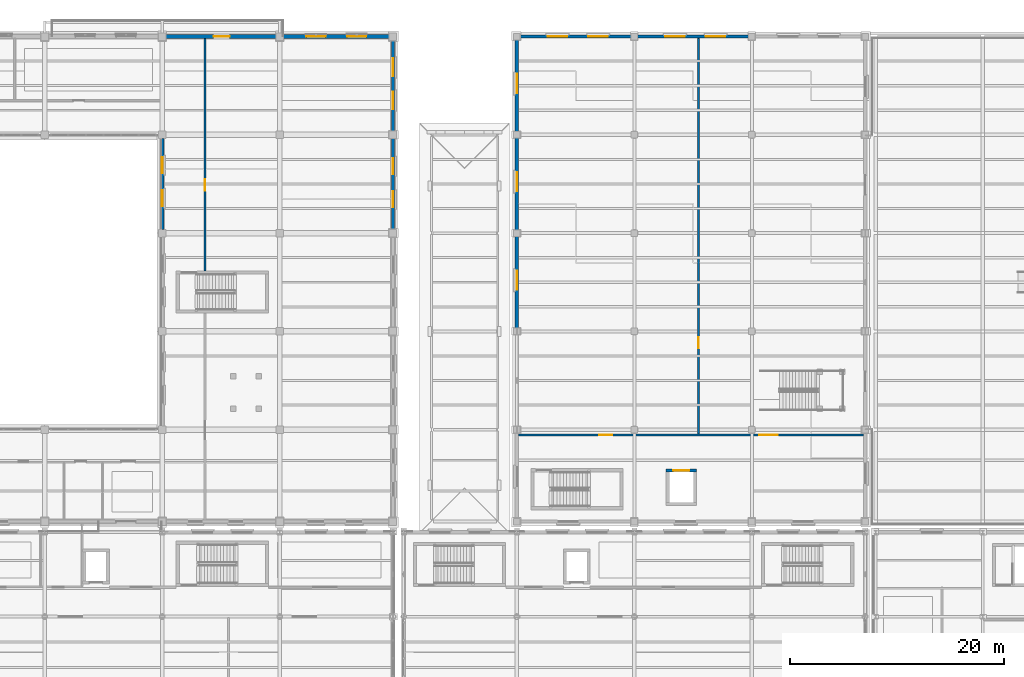
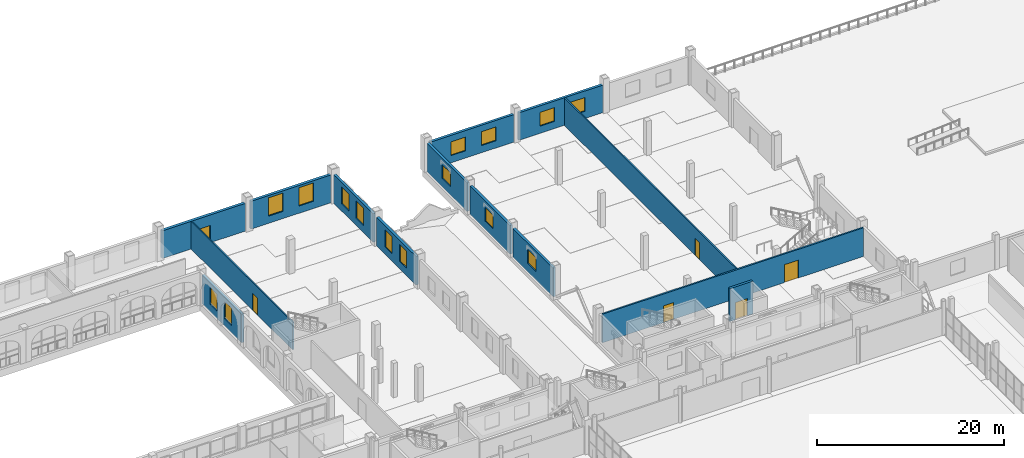
# One storey, part 127 of 156: 15 windows, 14 walls, 6 doors, 21 openings.
"""IFC4 building model written with IfcOpenShell, lengths in metres."""

from ifc_helpers import new_model, si_unit, direction, frame, frame_2d, origin, place, context, subcontext, project, spatial, rectangle, extrude, material, layer, layer_set, type_object, element, fill, save


model = new_model("IFC4")

# Units and contexts
model_context = context("Model", 3, precision=1e-05, world=origin(), true_north=direction((0.0, 1.0)))
body_context = subcontext(model_context, "Body", "Model", "MODEL_VIEW")
ifc_project = project(units=[si_unit("LENGTHUNIT", "METRE"), si_unit("AREAUNIT", "SQUARE_METRE"), si_unit("VOLUMEUNIT", "CUBIC_METRE"), si_unit("PLANEANGLEUNIT", "RADIAN"), si_unit("MASSUNIT", "GRAM", prefix="KILO")], contexts=[model_context])

# Site, building, storey
site_placement = place(None, origin())
site = spatial("IfcSite", under=ifc_project, at=site_placement, CompositionType="ELEMENT")
building_placement = place(site_placement, origin())
building = spatial("IfcBuilding", under=site, at=building_placement, Name="Caurita Quay Ferry Terminal", CompositionType="ELEMENT")
storey_placement = place(building_placement, frame((0.0, 0.0, 5.39990234375)))
storey = spatial("IfcBuildingStorey", under=building, at=storey_placement, Name="L01", CompositionType="ELEMENT", Elevation=5.39990234375)

# Wall, opening, door
ifc_material_1 = material(Name="Reinforced concrete C35/45", Category="concrete")
ifc_layer_1 = layer(ifc_material_1, 0.300048828125, Name="Interior shear wall 300 mm")
ifc_layer_set_1 = layer_set([ifc_layer_1], Name="Reinforced concrete C35/45")
wall_type_1 = type_object("IfcWallType", Name="WL-CORE-300", PredefinedType="SHEAR", material=ifc_layer_set_1)
wall_1_placement = place(storey_placement, frame((116.02001953125, 76.3701171875, 0.0), z_axis=(0.0, 0.0, 1.0), x_axis=(-1.0, 0.0, 0.0)))
wall_1 = element("IfcWall", 1, at=wall_1_placement, inside=storey, type_object=wall_type_1, Name="L01 Lift LG-01 Shaft Wall North", PredefinedType="SHEAR", context=body_context, shape_type="SweptSolid", body=[
    extrude(rectangle(XDim=2.840087890625, YDim=0.300048828125, at=frame_2d((1.419921875, 0.0))), origin(), (0.0, 0.0, 1.0), 4.2900390625),
])
opening_1_placement = place(wall_1_placement, frame((0.669921875, 0.0, 0.0)))
opening_1 = element("IfcOpeningElement", 2, at=opening_1_placement, cuts=wall_1, Name="Opening LD-03", PredefinedType="OPENING", context=body_context, shape_type="SweptSolid", body=[
    extrude(rectangle(XDim=1.5, YDim=2.25, at=frame_2d((0.75, 1.125))), frame((0.0, 0.159912109375, 0.0), z_axis=(0.0, -1.0, 0.0), x_axis=(1.0, 0.0, 0.0)), (0.0, 0.0, 1.0), 0.320068359375),
])
ifc_material_2 = material(Name="Bronze architectural metalwork", Category="metal")
door_type_1 = type_object("IfcDoorType", Name="DR-LD-03", OperationType="DOUBLE_DOOR_SLIDING", PredefinedType="DOOR", material=ifc_material_2)
door_1_placement = place(opening_1_placement, frame((1.5, 0.0, 0.0), z_axis=(0.0, 0.0, 1.0), x_axis=(-1.0, 0.0, 0.0)))
door_1 = element("IfcDoor", 3, at=door_1_placement, inside=storey, type_object=door_type_1, Name="L01 Lift LG-01 Sliding Landing Door", OperationType="DOUBLE_DOOR_SLIDING", OverallHeight=2.25, OverallWidth=1.5, PredefinedType="DOOR", context=body_context, shape_type="SweptSolid", body=[
    extrude(rectangle(XDim=1.5, YDim=2.25, at=frame_2d((0.75, 1.125))), frame((0.0, 0.02490234375, 0.0), z_axis=(0.0, -1.0, 0.0), x_axis=(1.0, 0.0, 0.0)), (0.0, 0.0, 1.0), 0.050048828125),
])
fill(opening_1, door_1)

# Wall, openings, doors
ifc_material_3 = material(Name="Warm-white lime stucco masonry", Category="masonry")
ifc_layer_2 = layer(ifc_material_3, 0.199951171875, Name="Interior partitioning wall 200 mm")
ifc_layer_set_2 = layer_set([ifc_layer_2], Name="Warm-white lime stucco masonry")
wall_type_2 = type_object("IfcWallType", Name="WL-CORR-200", PredefinedType="PARTITIONING", material=ifc_layer_set_2)
wall_2_placement = place(storey_placement, frame((99.360107421875, 79.699951171875, 0.0), z_axis=(0.0, 0.0, 1.0), x_axis=(1.0, 0.0, 0.0)))
wall_2 = element("IfcWall", 4, at=wall_2_placement, inside=storey, type_object=wall_type_2, Name="L01 Interior Partition IW-L01-058", PredefinedType="PARTITIONING", context=body_context, shape_type="SweptSolid", body=[
    extrude(rectangle(XDim=32.27978515625, YDim=0.199951171875, at=frame_2d((16.139892578125, 0.0))), origin(), (0.0, 0.0, 1.0), 3.7490234375),
])
opening_2_placement = place(wall_2_placement, frame((7.5400390625, 0.0, 0.0)))
opening_2 = element("IfcOpeningElement", 5, at=opening_2_placement, cuts=wall_2, Name="Opening FD-01", PredefinedType="OPENING", context=body_context, shape_type="SweptSolid", body=[
    extrude(rectangle(XDim=1.25, YDim=2.199951171875, at=frame_2d((0.625, 1.10009765625))), frame((0.0, 0.10986328125, 0.0), z_axis=(0.0, -1.0, 0.0), x_axis=(1.0, 0.0, 0.0)), (0.0, 0.0, 1.0), 0.219970703125),
])
opening_3_placement = place(wall_2_placement, frame((22.5400390625, 0.0, 0.0)))
opening_3 = element("IfcOpeningElement", 6, at=opening_3_placement, cuts=wall_2, Name="Opening FD-03", PredefinedType="OPENING", context=body_context, shape_type="SweptSolid", body=[
    extrude(rectangle(XDim=1.699951171875, YDim=2.35009765625, at=frame_2d((0.85009765625, 1.175048828125))), frame((0.0, 0.10986328125, 0.0), z_axis=(0.0, -1.0, 0.0), x_axis=(1.0, 0.0, 0.0)), (0.0, 0.0, 1.0), 0.219970703125),
])
ifc_material_4 = material(Name="Anodized aluminium 6063-T6", Category="aluminium")
door_type_2 = type_object("IfcDoorType", Name="DR-FF-1100", OperationType="NOTDEFINED", PredefinedType="DOOR", material=ifc_material_4)
door_2_placement = place(opening_2_placement, frame((1.25, 0.0, 0.0), z_axis=(0.0, 0.0, 1.0), x_axis=(-1.0, 0.0, 0.0)))
door_2 = element("IfcDoor", 7, at=door_2_placement, inside=storey, type_object=door_type_2, Name="Customs Vehicle Clearance Lobby Door", OperationType="SINGLE_SWING_RIGHT", OverallHeight=2.199951171875, OverallWidth=1.25, PredefinedType="DOOR", context=body_context, shape_type="SweptSolid", body=[
    extrude(rectangle(XDim=1.25, YDim=2.199951171875, at=frame_2d((0.625, 1.10009765625))), frame((0.0, 0.02490234375, 0.0), z_axis=(0.0, -1.0, 0.0), x_axis=(1.0, 0.0, 0.0)), (0.0, 0.0, 1.0), 0.050048828125),
])
fill(opening_2, door_2)
ifc_material_5 = material(Name="Tropical mahogany hardwood", Category="wood")
door_type_3 = type_object("IfcDoorType", Name="DR-LOB-1700", OperationType="NOTDEFINED", PredefinedType="DOOR", material=ifc_material_5)
door_3_placement = place(opening_3_placement, origin())
door_3 = element("IfcDoor", 8, at=door_3_placement, inside=storey, type_object=door_type_3, Name="Freight Mezzanine Lobby Door", OperationType="SINGLE_SWING_LEFT", OverallHeight=2.35009765625, OverallWidth=1.699951171875, PredefinedType="DOOR", context=body_context, shape_type="SweptSolid", body=[
    extrude(rectangle(XDim=1.699951171875, YDim=2.35009765625, at=frame_2d((0.85009765625, 1.175048828125))), frame((0.0, 0.02490234375, 0.0), z_axis=(0.0, -1.0, 0.0), x_axis=(1.0, 0.0, 0.0)), (0.0, 0.0, 1.0), 0.050048828125),
])
fill(opening_3, door_3)

# Wall, openings, windows
ifc_layer_3 = layer(ifc_material_3, 0.31005859375, Name="Exterior solidwall wall 310 mm")
ifc_layer_set_3 = layer_set([ifc_layer_3], Name="Warm-white lime stucco masonry")
wall_type_3 = type_object("IfcWallType", Name="WL-EXT-310", PredefinedType="SOLIDWALL", material=ifc_layer_set_3)
wall_3_placement = place(storey_placement, frame((87.60009765625, 98.947998046875, 0.0), z_axis=(0.0, 0.0, 1.0), x_axis=(0.0, 1.0, 0.0)))
wall_3 = element("IfcWall", 9, at=wall_3_placement, inside=storey, type_object=wall_type_3, Name="L01 Exterior Wall EW-L01-091", PredefinedType="SOLIDWALL", context=body_context, shape_type="SweptSolid", body=[
    extrude(rectangle(XDim=8.50390625, YDim=0.31005859375, at=frame_2d((4.251953125, 0.0))), origin(), (0.0, 0.0, 1.0), 3.735107421875),
])
opening_4_placement = place(wall_3_placement, frame((2.052001953125, 0.0, 0.949951171875)))
opening_4 = element("IfcOpeningElement", 10, at=opening_4_placement, cuts=wall_3, Name="Opening W-07", PredefinedType="OPENING", context=body_context, shape_type="SweptSolid", body=[
    extrude(rectangle(XDim=1.5, YDim=2.25, at=frame_2d((0.75, 1.125))), frame((0.0, 0.1650390625, 0.0), z_axis=(0.0, -1.0, 0.0), x_axis=(1.0, 0.0, 0.0)), (0.0, 0.0, 1.0), 0.330078125),
])
opening_5_placement = place(wall_3_placement, frame((5.152099609375, 0.0, 0.949951171875)))
opening_5 = element("IfcOpeningElement", 11, at=opening_5_placement, cuts=wall_3, Name="Opening W-07", PredefinedType="OPENING", context=body_context, shape_type="SweptSolid", body=[
    extrude(rectangle(XDim=1.5, YDim=2.25, at=frame_2d((0.75, 1.125))), frame((0.0, 0.1650390625, 0.0), z_axis=(0.0, -1.0, 0.0), x_axis=(1.0, 0.0, 0.0)), (0.0, 0.0, 1.0), 0.330078125),
])
ifc_material_6 = material(Name="Laminated solar-control insulated glass", Category="glass")
window_type_1 = type_object("IfcWindowType", Name="WIN-SC-1522", PartitioningType="SINGLE_PANEL", PredefinedType="WINDOW", material=ifc_material_6)
window_1_placement = place(opening_4_placement, origin())
window_1 = element("IfcWindow", 12, at=window_1_placement, inside=storey, type_object=window_type_1, Name="L01 Casement Window WN-L01-137", OverallHeight=2.25, OverallWidth=1.5, PartitioningType="SINGLE_PANEL", PredefinedType="WINDOW", context=body_context, shape_type="SweptSolid", body=[
    extrude(rectangle(XDim=1.5, YDim=2.25, at=frame_2d((0.75, 1.125))), frame((0.0, 0.030029296875, 0.0), z_axis=(0.0, -1.0, 0.0), x_axis=(1.0, 0.0, 0.0)), (0.0, 0.0, 1.0), 0.06005859375),
])
fill(opening_4, window_1)
window_2_placement = place(opening_5_placement, origin())
window_2 = element("IfcWindow", 13, at=window_2_placement, inside=storey, type_object=window_type_1, Name="L01 Casement Window WN-L01-138", OverallHeight=2.25, OverallWidth=1.5, PartitioningType="SINGLE_PANEL", PredefinedType="WINDOW", context=body_context, shape_type="SweptSolid", body=[
    extrude(rectangle(XDim=1.5, YDim=2.25, at=frame_2d((0.75, 1.125))), frame((0.0, 0.030029296875, 0.0), z_axis=(0.0, -1.0, 0.0), x_axis=(1.0, 0.0, 0.0)), (0.0, 0.0, 1.0), 0.06005859375),
])
fill(opening_5, window_2)

wall_4_placement = place(storey_placement, frame((87.60009765625, 108.14794921875, 0.0), z_axis=(0.0, 0.0, 1.0), x_axis=(0.0, 1.0, 0.0)))
wall_4 = element("IfcWall", 14, at=wall_4_placement, inside=storey, type_object=wall_type_3, Name="L01 Exterior Wall EW-L01-092", PredefinedType="SOLIDWALL", context=body_context, shape_type="SweptSolid", body=[
    extrude(rectangle(XDim=8.504150390625, YDim=0.31005859375, at=frame_2d((4.251953125, 0.0))), origin(), (0.0, 0.0, 1.0), 3.735107421875),
])
opening_6_placement = place(wall_4_placement, frame((2.052001953125, 0.0, 0.949951171875)))
opening_6 = element("IfcOpeningElement", 15, at=opening_6_placement, cuts=wall_4, Name="Opening W-08", PredefinedType="OPENING", context=body_context, shape_type="SweptSolid", body=[
    extrude(rectangle(XDim=1.64990234375, YDim=2.25, at=frame_2d((0.824951171875, 1.125))), frame((0.0, 0.1650390625, 0.0), z_axis=(0.0, -1.0, 0.0), x_axis=(1.0, 0.0, 0.0)), (0.0, 0.0, 1.0), 0.330078125),
])
opening_7_placement = place(wall_4_placement, frame((5.152099609375, 0.0, 0.949951171875)))
opening_7 = element("IfcOpeningElement", 16, at=opening_7_placement, cuts=wall_4, Name="Opening W-08", PredefinedType="OPENING", context=body_context, shape_type="SweptSolid", body=[
    extrude(rectangle(XDim=1.64990234375, YDim=2.25, at=frame_2d((0.824951171875, 1.125))), frame((0.0, 0.1650390625, 0.0), z_axis=(0.0, -1.0, 0.0), x_axis=(1.0, 0.0, 0.0)), (0.0, 0.0, 1.0), 0.330078125),
])
window_type_2 = type_object("IfcWindowType", Name="WIN-SC-16522", PartitioningType="SINGLE_PANEL", PredefinedType="WINDOW", material=ifc_material_6)
window_3_placement = place(opening_6_placement, origin())
window_3 = element("IfcWindow", 17, at=window_3_placement, inside=storey, type_object=window_type_2, Name="L01 Casement Window WN-L01-139", OverallHeight=2.25, OverallWidth=1.64990234375, PartitioningType="SINGLE_PANEL", PredefinedType="WINDOW", context=body_context, shape_type="SweptSolid", body=[
    extrude(rectangle(XDim=1.64990234375, YDim=2.25, at=frame_2d((0.824951171875, 1.125))), frame((0.0, 0.030029296875, 0.0), z_axis=(0.0, -1.0, 0.0), x_axis=(1.0, 0.0, 0.0)), (0.0, 0.0, 1.0), 0.06005859375),
])
fill(opening_6, window_3)
window_4_placement = place(opening_7_placement, origin())
window_4 = element("IfcWindow", 18, at=window_4_placement, inside=storey, type_object=window_type_2, Name="L01 Casement Window WN-L01-140", OverallHeight=2.25, OverallWidth=1.64990234375, PartitioningType="SINGLE_PANEL", PredefinedType="WINDOW", context=body_context, shape_type="SweptSolid", body=[
    extrude(rectangle(XDim=1.64990234375, YDim=2.25, at=frame_2d((0.824951171875, 1.125))), frame((0.0, 0.030029296875, 0.0), z_axis=(0.0, -1.0, 0.0), x_axis=(1.0, 0.0, 0.0)), (0.0, 0.0, 1.0), 0.06005859375),
])
fill(opening_7, window_4)

wall_5_placement = place(storey_placement, frame((66.0, 98.947998046875, 0.0), z_axis=(0.0, 0.0, 1.0), x_axis=(0.0, 1.0, 0.0)))
wall_5 = element("IfcWall", 19, at=wall_5_placement, inside=storey, type_object=wall_type_3, Name="L01 Exterior Wall EW-L01-133", PredefinedType="SOLIDWALL", context=body_context, shape_type="SweptSolid", body=[
    extrude(rectangle(XDim=8.50390625, YDim=0.31005859375, at=frame_2d((4.251953125, 0.0))), origin(), (0.0, 0.0, 1.0), 3.72509765625),
])
opening_8_placement = place(wall_5_placement, frame((2.152099609375, 0.0, 0.949951171875)))
opening_8 = element("IfcOpeningElement", 20, at=opening_8_placement, cuts=wall_5, Name="Opening W-07", PredefinedType="OPENING", context=body_context, shape_type="SweptSolid", body=[
    extrude(rectangle(XDim=1.5, YDim=2.25, at=frame_2d((0.75, 1.125))), frame((0.0, 0.1650390625, 0.0), z_axis=(0.0, -1.0, 0.0), x_axis=(1.0, 0.0, 0.0)), (0.0, 0.0, 1.0), 0.330078125),
])
opening_9_placement = place(wall_5_placement, frame((5.251953125, 0.0, 0.949951171875)))
opening_9 = element("IfcOpeningElement", 21, at=opening_9_placement, cuts=wall_5, Name="Opening W-07", PredefinedType="OPENING", context=body_context, shape_type="SweptSolid", body=[
    extrude(rectangle(XDim=1.5, YDim=2.25, at=frame_2d((0.75, 1.125))), frame((0.0, 0.1650390625, 0.0), z_axis=(0.0, -1.0, 0.0), x_axis=(1.0, 0.0, 0.0)), (0.0, 0.0, 1.0), 0.330078125),
])
window_5_placement = place(opening_8_placement, origin())
window_5 = element("IfcWindow", 22, at=window_5_placement, inside=storey, type_object=window_type_1, Name="L01 Casement Window WN-L01-205", OverallHeight=2.25, OverallWidth=1.5, PartitioningType="SINGLE_PANEL", PredefinedType="WINDOW", context=body_context, shape_type="SweptSolid", body=[
    extrude(rectangle(XDim=1.5, YDim=2.25, at=frame_2d((0.75, 1.125))), frame((0.0, 0.030029296875, 0.0), z_axis=(0.0, -1.0, 0.0), x_axis=(1.0, 0.0, 0.0)), (0.0, 0.0, 1.0), 0.06005859375),
])
fill(opening_8, window_5)
window_6_placement = place(opening_9_placement, origin())
window_6 = element("IfcWindow", 23, at=window_6_placement, inside=storey, type_object=window_type_1, Name="L01 Casement Window WN-L01-206", OverallHeight=2.25, OverallWidth=1.5, PartitioningType="SINGLE_PANEL", PredefinedType="WINDOW", context=body_context, shape_type="SweptSolid", body=[
    extrude(rectangle(XDim=1.5, YDim=2.25, at=frame_2d((0.75, 1.125))), frame((0.0, 0.030029296875, 0.0), z_axis=(0.0, -1.0, 0.0), x_axis=(1.0, 0.0, 0.0)), (0.0, 0.0, 1.0), 0.06005859375),
])
fill(opening_9, window_6)

wall_6_placement = place(storey_placement, frame((109.902099609375, 117.0, 0.0), z_axis=(0.0, 0.0, 1.0), x_axis=(-1.0, 0.0, 0.0)))
wall_6 = element("IfcWall", 24, at=wall_6_placement, inside=storey, type_object=wall_type_3, Name="L01 Exterior Wall EW-L01-221", PredefinedType="SOLIDWALL", context=body_context, shape_type="SweptSolid", body=[
    extrude(rectangle(XDim=10.404052734375, YDim=0.31005859375, at=frame_2d((5.2021484375, 0.0))), origin(), (0.0, 0.0, 1.0), 3.60205078125),
])
opening_10_placement = place(wall_6_placement, frame((2.201904296875, 0.0, 0.949951171875)))
opening_10 = element("IfcOpeningElement", 25, at=opening_10_placement, cuts=wall_6, Name="Opening W-09", PredefinedType="OPENING", context=body_context, shape_type="SweptSolid", body=[
    extrude(rectangle(XDim=1.800048828125, YDim=1.800048828125, at=frame_2d((0.89990234375, 0.89990234375))), frame((0.0, 0.1650390625, 0.0), z_axis=(0.0, -1.0, 0.0), x_axis=(1.0, 0.0, 0.0)), (0.0, 0.0, 1.0), 0.330078125),
])
opening_11_placement = place(wall_6_placement, frame((6.001953125, 0.0, 0.949951171875)))
opening_11 = element("IfcOpeningElement", 26, at=opening_11_placement, cuts=wall_6, Name="Opening W-09", PredefinedType="OPENING", context=body_context, shape_type="SweptSolid", body=[
    extrude(rectangle(XDim=1.800048828125, YDim=1.800048828125, at=frame_2d((0.89990234375, 0.89990234375))), frame((0.0, 0.1650390625, 0.0), z_axis=(0.0, -1.0, 0.0), x_axis=(1.0, 0.0, 0.0)), (0.0, 0.0, 1.0), 0.330078125),
])
window_type_3 = type_object("IfcWindowType", Name="WIN-SC-1818", PartitioningType="SINGLE_PANEL", PredefinedType="WINDOW", material=ifc_material_6)
window_7_placement = place(opening_10_placement, origin())
window_7 = element("IfcWindow", 27, at=window_7_placement, inside=storey, type_object=window_type_3, Name="L01 Casement Window WN-L01-322", OverallHeight=1.800048828125, OverallWidth=1.800048828125, PartitioningType="SINGLE_PANEL", PredefinedType="WINDOW", context=body_context, shape_type="SweptSolid", body=[
    extrude(rectangle(XDim=1.800048828125, YDim=1.800048828125, at=frame_2d((0.89990234375, 0.89990234375))), frame((0.0, 0.030029296875, 0.0), z_axis=(0.0, -1.0, 0.0), x_axis=(1.0, 0.0, 0.0)), (0.0, 0.0, 1.0), 0.06005859375),
])
fill(opening_10, window_7)
window_8_placement = place(opening_11_placement, origin())
window_8 = element("IfcWindow", 28, at=window_8_placement, inside=storey, type_object=window_type_3, Name="L01 Casement Window WN-L01-323", OverallHeight=1.800048828125, OverallWidth=1.800048828125, PartitioningType="SINGLE_PANEL", PredefinedType="WINDOW", context=body_context, shape_type="SweptSolid", body=[
    extrude(rectangle(XDim=1.800048828125, YDim=1.800048828125, at=frame_2d((0.89990234375, 0.89990234375))), frame((0.0, 0.030029296875, 0.0), z_axis=(0.0, -1.0, 0.0), x_axis=(1.0, 0.0, 0.0)), (0.0, 0.0, 1.0), 0.06005859375),
])
fill(opening_11, window_8)

wall_7_placement = place(storey_placement, frame((120.902099609375, 117.0, 0.0), z_axis=(0.0, 0.0, 1.0), x_axis=(-1.0, 0.0, 0.0)))
wall_7 = element("IfcWall", 29, at=wall_7_placement, inside=storey, type_object=wall_type_3, Name="L01 Exterior Wall EW-L01-223", PredefinedType="SOLIDWALL", context=body_context, shape_type="SweptSolid", body=[
    extrude(rectangle(XDim=10.404052734375, YDim=0.31005859375, at=frame_2d((5.2021484375, 0.0))), origin(), (0.0, 0.0, 1.0), 3.60205078125),
])
opening_12_placement = place(wall_7_placement, frame((2.201904296875, 0.0, 0.949951171875)))
opening_12 = element("IfcOpeningElement", 30, at=opening_12_placement, cuts=wall_7, Name="Opening W-09", PredefinedType="OPENING", context=body_context, shape_type="SweptSolid", body=[
    extrude(rectangle(XDim=1.800048828125, YDim=1.800048828125, at=frame_2d((0.89990234375, 0.89990234375))), frame((0.0, 0.1650390625, 0.0), z_axis=(0.0, -1.0, 0.0), x_axis=(1.0, 0.0, 0.0)), (0.0, 0.0, 1.0), 0.330078125),
])
opening_13_placement = place(wall_7_placement, frame((6.001953125, 0.0, 0.949951171875)))
opening_13 = element("IfcOpeningElement", 31, at=opening_13_placement, cuts=wall_7, Name="Opening W-09", PredefinedType="OPENING", context=body_context, shape_type="SweptSolid", body=[
    extrude(rectangle(XDim=1.800048828125, YDim=1.800048828125, at=frame_2d((0.89990234375, 0.89990234375))), frame((0.0, 0.1650390625, 0.0), z_axis=(0.0, -1.0, 0.0), x_axis=(1.0, 0.0, 0.0)), (0.0, 0.0, 1.0), 0.330078125),
])
window_9_placement = place(opening_12_placement, origin())
window_9 = element("IfcWindow", 32, at=window_9_placement, inside=storey, type_object=window_type_3, Name="L01 Casement Window WN-L01-325", OverallHeight=1.800048828125, OverallWidth=1.800048828125, PartitioningType="SINGLE_PANEL", PredefinedType="WINDOW", context=body_context, shape_type="SweptSolid", body=[
    extrude(rectangle(XDim=1.800048828125, YDim=1.800048828125, at=frame_2d((0.89990234375, 0.89990234375))), frame((0.0, 0.030029296875, 0.0), z_axis=(0.0, -1.0, 0.0), x_axis=(1.0, 0.0, 0.0)), (0.0, 0.0, 1.0), 0.06005859375),
])
fill(opening_12, window_9)
window_10_placement = place(opening_13_placement, origin())
window_10 = element("IfcWindow", 33, at=window_10_placement, inside=storey, type_object=window_type_3, Name="L01 Casement Window WN-L01-326", OverallHeight=1.800048828125, OverallWidth=1.800048828125, PartitioningType="SINGLE_PANEL", PredefinedType="WINDOW", context=body_context, shape_type="SweptSolid", body=[
    extrude(rectangle(XDim=1.800048828125, YDim=1.800048828125, at=frame_2d((0.89990234375, 0.89990234375))), frame((0.0, 0.030029296875, 0.0), z_axis=(0.0, -1.0, 0.0), x_axis=(1.0, 0.0, 0.0)), (0.0, 0.0, 1.0), 0.06005859375),
])
fill(opening_13, window_10)

# Wall, opening, window
wall_8_placement = place(storey_placement, frame((99.199951171875, 98.302001953125, 0.0), z_axis=(0.0, 0.0, 1.0), x_axis=(0.0, -1.0, 0.0)))
wall_8 = element("IfcWall", 34, at=wall_8_placement, inside=storey, type_object=wall_type_3, Name="L01 Exterior Wall EW-L01-239", PredefinedType="SOLIDWALL", context=body_context, shape_type="SweptSolid", body=[
    extrude(rectangle(XDim=8.60400390625, YDim=0.31005859375, at=frame_2d((4.302001953125, 0.0))), origin(), (0.0, 0.0, 1.0), 3.7490234375),
])
opening_14_placement = place(wall_8_placement, frame((3.201904296875, 0.0, 1.10009765625)))
opening_14 = element("IfcOpeningElement", 35, at=opening_14_placement, cuts=wall_8, Name="Opening W-09", PredefinedType="OPENING", context=body_context, shape_type="SweptSolid", body=[
    extrude(rectangle(XDim=1.800048828125, YDim=1.800048828125, at=frame_2d((0.89990234375, 0.89990234375))), frame((0.0, 0.1650390625, 0.0), z_axis=(0.0, -1.0, 0.0), x_axis=(1.0, 0.0, 0.0)), (0.0, 0.0, 1.0), 0.330078125),
])
window_11_placement = place(opening_14_placement, origin())
window_11 = element("IfcWindow", 36, at=window_11_placement, inside=storey, type_object=window_type_3, Name="L01 Casement Window WN-L01-336", OverallHeight=1.800048828125, OverallWidth=1.800048828125, PartitioningType="SINGLE_PANEL", PredefinedType="WINDOW", context=body_context, shape_type="SweptSolid", body=[
    extrude(rectangle(XDim=1.800048828125, YDim=1.800048828125, at=frame_2d((0.89990234375, 0.89990234375))), frame((0.0, 0.030029296875, 0.0), z_axis=(0.0, -1.0, 0.0), x_axis=(1.0, 0.0, 0.0)), (0.0, 0.0, 1.0), 0.06005859375),
])
fill(opening_14, window_11)

wall_9_placement = place(storey_placement, frame((99.199951171875, 107.501953125, 0.0), z_axis=(0.0, 0.0, 1.0), x_axis=(0.0, -1.0, 0.0)))
wall_9 = element("IfcWall", 37, at=wall_9_placement, inside=storey, type_object=wall_type_3, Name="L01 Exterior Wall EW-L01-240", PredefinedType="SOLIDWALL", context=body_context, shape_type="SweptSolid", body=[
    extrude(rectangle(XDim=8.60400390625, YDim=0.31005859375, at=frame_2d((4.302001953125, 0.0))), origin(), (0.0, 0.0, 1.0), 3.7490234375),
])
opening_15_placement = place(wall_9_placement, frame((3.201904296875, 0.0, 1.10009765625)))
opening_15 = element("IfcOpeningElement", 38, at=opening_15_placement, cuts=wall_9, Name="Opening W-09", PredefinedType="OPENING", context=body_context, shape_type="SweptSolid", body=[
    extrude(rectangle(XDim=1.800048828125, YDim=1.800048828125, at=frame_2d((0.89990234375, 0.89990234375))), frame((0.0, 0.1650390625, 0.0), z_axis=(0.0, -1.0, 0.0), x_axis=(1.0, 0.0, 0.0)), (0.0, 0.0, 1.0), 0.330078125),
])
window_12_placement = place(opening_15_placement, origin())
window_12 = element("IfcWindow", 39, at=window_12_placement, inside=storey, type_object=window_type_3, Name="L01 Casement Window WN-L01-337", OverallHeight=1.800048828125, OverallWidth=1.800048828125, PartitioningType="SINGLE_PANEL", PredefinedType="WINDOW", context=body_context, shape_type="SweptSolid", body=[
    extrude(rectangle(XDim=1.800048828125, YDim=1.800048828125, at=frame_2d((0.89990234375, 0.89990234375))), frame((0.0, 0.030029296875, 0.0), z_axis=(0.0, -1.0, 0.0), x_axis=(1.0, 0.0, 0.0)), (0.0, 0.0, 1.0), 0.06005859375),
])
fill(opening_15, window_12)

wall_10_placement = place(storey_placement, frame((99.199951171875, 116.701904296875, 0.0), z_axis=(0.0, 0.0, 1.0), x_axis=(0.0, -1.0, 0.0)))
wall_10 = element("IfcWall", 40, at=wall_10_placement, inside=storey, type_object=wall_type_3, Name="L01 Exterior Wall EW-L01-241", PredefinedType="SOLIDWALL", context=body_context, shape_type="SweptSolid", body=[
    extrude(rectangle(XDim=8.60400390625, YDim=0.31005859375, at=frame_2d((4.302001953125, 0.0))), origin(), (0.0, 0.0, 1.0), 3.7490234375),
])
opening_16_placement = place(wall_10_placement, frame((3.201904296875, 0.0, 1.10009765625)))
opening_16 = element("IfcOpeningElement", 41, at=opening_16_placement, cuts=wall_10, Name="Opening W-09", PredefinedType="OPENING", context=body_context, shape_type="SweptSolid", body=[
    extrude(rectangle(XDim=1.800048828125, YDim=1.800048828125, at=frame_2d((0.89990234375, 0.89990234375))), frame((0.0, 0.1650390625, 0.0), z_axis=(0.0, -1.0, 0.0), x_axis=(1.0, 0.0, 0.0)), (0.0, 0.0, 1.0), 0.330078125),
])
window_13_placement = place(opening_16_placement, origin())
window_13 = element("IfcWindow", 42, at=window_13_placement, inside=storey, type_object=window_type_3, Name="L01 Casement Window WN-L01-338", OverallHeight=1.800048828125, OverallWidth=1.800048828125, PartitioningType="SINGLE_PANEL", PredefinedType="WINDOW", context=body_context, shape_type="SweptSolid", body=[
    extrude(rectangle(XDim=1.800048828125, YDim=1.800048828125, at=frame_2d((0.89990234375, 0.89990234375))), frame((0.0, 0.030029296875, 0.0), z_axis=(0.0, -1.0, 0.0), x_axis=(1.0, 0.0, 0.0)), (0.0, 0.0, 1.0), 0.06005859375),
])
fill(opening_16, window_13)

# Wall, opening, door
ifc_layer_4 = layer(ifc_material_3, 0.340087890625, Name="Exterior solidwall wall 340 mm")
ifc_layer_set_4 = layer_set([ifc_layer_4], Name="Warm-white lime stucco masonry")
wall_type_4 = type_object("IfcWallType", Name="WL-EXT-340", PredefinedType="SOLIDWALL", material=ifc_layer_set_4)
wall_11_placement = place(storey_placement, frame((76.652099609375, 117.0, 0.0), z_axis=(0.0, 0.0, 1.0), x_axis=(-1.0, 0.0, 0.0)))
wall_11 = element("IfcWall", 43, at=wall_11_placement, inside=storey, type_object=wall_type_4, Name="L01 Exterior Wall EW-L01-015", PredefinedType="SOLIDWALL", context=body_context, shape_type="SweptSolid", body=[
    extrude(rectangle(XDim=10.30419921875, YDim=0.340087890625, at=frame_2d((5.152099609375, 0.0))), origin(), (0.0, 0.0, 1.0), 3.625),
])
opening_17_placement = place(wall_11_placement, frame((4.35205078125, 0.0, 0.0)))
opening_17 = element("IfcOpeningElement", 44, at=opening_17_placement, cuts=wall_11, Name="Opening TD-02", PredefinedType="OPENING", context=body_context, shape_type="SweptSolid", body=[
    extrude(rectangle(XDim=1.5, YDim=2.25, at=frame_2d((0.75, 1.125))), frame((0.0, 0.179931640625, 0.0), z_axis=(0.0, -1.0, 0.0), x_axis=(1.0, 0.0, 0.0)), (0.0, 0.0, 1.0), 0.360107421875),
])
door_type_4 = type_object("IfcDoorType", Name="DR-TER-1522", OperationType="NOTDEFINED", PredefinedType="DOOR", material=ifc_material_4)
door_4_placement = place(opening_17_placement, frame((1.5, 0.0, 0.0), z_axis=(0.0, 0.0, 1.0), x_axis=(-1.0, 0.0, 0.0)))
door_4 = element("IfcDoor", 45, at=door_4_placement, inside=storey, type_object=door_type_4, Name="L01 North Portales Balcony Door TD-BN6", OperationType="SINGLE_SWING_RIGHT", OverallHeight=2.25, OverallWidth=1.5, PredefinedType="DOOR", context=body_context, shape_type="SweptSolid", body=[
    extrude(rectangle(XDim=1.5, YDim=2.25, at=frame_2d((0.75, 1.125))), frame((0.0, 0.02490234375, 0.0), z_axis=(0.0, -1.0, 0.0), x_axis=(1.0, 0.0, 0.0)), (0.0, 0.0, 1.0), 0.050048828125),
])
fill(opening_17, door_4)

# Wall, openings, windows
wall_12_placement = place(storey_placement, frame((87.251953125, 117.0, 0.0), z_axis=(0.0, 0.0, 1.0), x_axis=(-1.0, 0.0, 0.0)))
wall_12 = element("IfcWall", 46, at=wall_12_placement, inside=storey, type_object=wall_type_4, Name="L01 Exterior Wall EW-L01-016", PredefinedType="SOLIDWALL", context=body_context, shape_type="SweptSolid", body=[
    extrude(rectangle(XDim=9.904052734375, YDim=0.340087890625, at=frame_2d((4.9521484375, 0.0))), origin(), (0.0, 0.0, 1.0), 3.635009765625),
])
opening_18_placement = place(wall_12_placement, frame((2.152099609375, 0.0, 0.949951171875)))
opening_18 = element("IfcOpeningElement", 47, at=opening_18_placement, cuts=wall_12, Name="Opening W-10", PredefinedType="OPENING", context=body_context, shape_type="SweptSolid", body=[
    extrude(rectangle(XDim=1.800048828125, YDim=2.39990234375, at=frame_2d((0.89990234375, 1.199951171875))), frame((0.0, 0.179931640625, 0.0), z_axis=(0.0, -1.0, 0.0), x_axis=(1.0, 0.0, 0.0)), (0.0, 0.0, 1.0), 0.360107421875),
])
opening_19_placement = place(wall_12_placement, frame((5.951904296875, 0.0, 0.949951171875)))
opening_19 = element("IfcOpeningElement", 48, at=opening_19_placement, cuts=wall_12, Name="Opening W-10", PredefinedType="OPENING", context=body_context, shape_type="SweptSolid", body=[
    extrude(rectangle(XDim=1.800048828125, YDim=2.39990234375, at=frame_2d((0.89990234375, 1.199951171875))), frame((0.0, 0.179931640625, 0.0), z_axis=(0.0, -1.0, 0.0), x_axis=(1.0, 0.0, 0.0)), (0.0, 0.0, 1.0), 0.360107421875),
])
window_type_4 = type_object("IfcWindowType", Name="WIN-SC-1824", PartitioningType="SINGLE_PANEL", PredefinedType="WINDOW", material=ifc_material_6)
window_14_placement = place(opening_18_placement, origin())
window_14 = element("IfcWindow", 49, at=window_14_placement, inside=storey, type_object=window_type_4, Name="L01 Casement Window WN-L01-019", OverallHeight=2.39990234375, OverallWidth=1.800048828125, PartitioningType="SINGLE_PANEL", PredefinedType="WINDOW", context=body_context, shape_type="SweptSolid", body=[
    extrude(rectangle(XDim=1.800048828125, YDim=2.39990234375, at=frame_2d((0.89990234375, 1.199951171875))), frame((0.0, 0.030029296875, 0.0), z_axis=(0.0, -1.0, 0.0), x_axis=(1.0, 0.0, 0.0)), (0.0, 0.0, 1.0), 0.06005859375),
])
fill(opening_18, window_14)
window_15_placement = place(opening_19_placement, origin())
window_15 = element("IfcWindow", 50, at=window_15_placement, inside=storey, type_object=window_type_4, Name="L01 Casement Window WN-L01-020", OverallHeight=2.39990234375, OverallWidth=1.800048828125, PartitioningType="SINGLE_PANEL", PredefinedType="WINDOW", context=body_context, shape_type="SweptSolid", body=[
    extrude(rectangle(XDim=1.800048828125, YDim=2.39990234375, at=frame_2d((0.89990234375, 1.199951171875))), frame((0.0, 0.030029296875, 0.0), z_axis=(0.0, -1.0, 0.0), x_axis=(1.0, 0.0, 0.0)), (0.0, 0.0, 1.0), 0.06005859375),
])
fill(opening_19, window_15)

# Wall, opening, door
ifc_material_7 = material(Name="Gypsum board partition", Category="masonry")
ifc_layer_5 = layer(ifc_material_7, 0.159912109375, Name="Interior partitioning wall 160 mm")
ifc_layer_set_5 = layer_set([ifc_layer_5], Name="Gypsum board partition")
wall_type_5 = type_object("IfcWallType", Name="WL-PART-160", PredefinedType="PARTITIONING", material=ifc_layer_set_5)
wall_13_placement = place(storey_placement, frame((116.199951171875, 79.804931640625, 0.0), z_axis=(0.0, 0.0, 1.0), x_axis=(0.0, 1.0, 0.0)))
wall_13 = element("IfcWall", 51, at=wall_13_placement, inside=storey, type_object=wall_type_5, Name="L01 Interior Partition IW-L01-059", PredefinedType="PARTITIONING", context=body_context, shape_type="SweptSolid", body=[
    extrude(rectangle(XDim=37.03515625, YDim=0.159912109375, at=frame_2d((18.517578125, 0.0))), origin(), (0.0, 0.0, 1.0), 3.60205078125),
])
opening_20_placement = place(wall_13_placement, frame((8.0048828125, 0.0, 0.0)))
opening_20 = element("IfcOpeningElement", 52, at=opening_20_placement, cuts=wall_13, Name="Opening ID-04", PredefinedType="OPENING", context=body_context, shape_type="SweptSolid", body=[
    extrude(rectangle(XDim=1.050048828125, YDim=2.199951171875, at=frame_2d((0.52490234375, 1.10009765625))), frame((0.0, 0.08984375, 0.0), z_axis=(0.0, -1.0, 0.0), x_axis=(1.0, 0.0, 0.0)), (0.0, 0.0, 1.0), 0.179931640625),
])
door_type_5 = type_object("IfcDoorType", Name="DR-OFF-1050", OperationType="NOTDEFINED", PredefinedType="DOOR", material=ifc_material_5)
door_5_placement = place(opening_20_placement, frame((1.050048828125, 0.0, 0.0), z_axis=(0.0, 0.0, 1.0), x_axis=(-1.0, 0.0, 0.0)))
door_5 = element("IfcDoor", 53, at=door_5_placement, inside=storey, type_object=door_type_5, Name="Customs Clearance to Driver Lounge Door", OperationType="SINGLE_SWING_RIGHT", OverallHeight=2.199951171875, OverallWidth=1.050048828125, PredefinedType="DOOR", context=body_context, shape_type="SweptSolid", body=[
    extrude(rectangle(XDim=1.050048828125, YDim=2.199951171875, at=frame_2d((0.52490234375, 1.10009765625))), frame((0.0, 0.02490234375, 0.0), z_axis=(0.0, -1.0, 0.0), x_axis=(1.0, 0.0, 0.0)), (0.0, 0.0, 1.0), 0.050048828125),
])
fill(opening_20, door_5)

wall_14_placement = place(storey_placement, frame((70.0, 95.06494140625, 0.0), z_axis=(0.0, 0.0, 1.0), x_axis=(0.0, 1.0, 0.0)))
wall_14 = element("IfcWall", 54, at=wall_14_placement, inside=storey, type_object=wall_type_5, Name="L01 Interior Partition IW-L01-067", PredefinedType="PARTITIONING", context=body_context, shape_type="SweptSolid", body=[
    extrude(rectangle(XDim=21.760009765625, YDim=0.159912109375, at=frame_2d((10.8798828125, 0.0))), origin(), (0.0, 0.0, 1.0), 3.625),
])
opening_21_placement = place(wall_14_placement, frame((7.5048828125, 0.0, 0.0)))
opening_21 = element("IfcOpeningElement", 55, at=opening_21_placement, cuts=wall_14, Name="Opening ID-04", PredefinedType="OPENING", context=body_context, shape_type="SweptSolid", body=[
    extrude(rectangle(XDim=1.050048828125, YDim=2.199951171875, at=frame_2d((0.52490234375, 1.10009765625))), frame((0.0, 0.08984375, 0.0), z_axis=(0.0, -1.0, 0.0), x_axis=(1.0, 0.0, 0.0)), (0.0, 0.0, 1.0), 0.179931640625),
])
door_6_placement = place(opening_21_placement, frame((1.050048828125, 0.0, 0.0), z_axis=(0.0, 0.0, 1.0), x_axis=(-1.0, 0.0, 0.0)))
door_6 = element("IfcDoor", 56, at=door_6_placement, inside=storey, type_object=door_type_5, Name="Regional Shipping Agency Suite Door", OperationType="SINGLE_SWING_RIGHT", OverallHeight=2.199951171875, OverallWidth=1.050048828125, PredefinedType="DOOR", context=body_context, shape_type="SweptSolid", body=[
    extrude(rectangle(XDim=1.050048828125, YDim=2.199951171875, at=frame_2d((0.52490234375, 1.10009765625))), frame((0.0, 0.02490234375, 0.0), z_axis=(0.0, -1.0, 0.0), x_axis=(1.0, 0.0, 0.0)), (0.0, 0.0, 1.0), 0.050048828125),
])
fill(opening_21, door_6)

save(model, "model.ifc")
